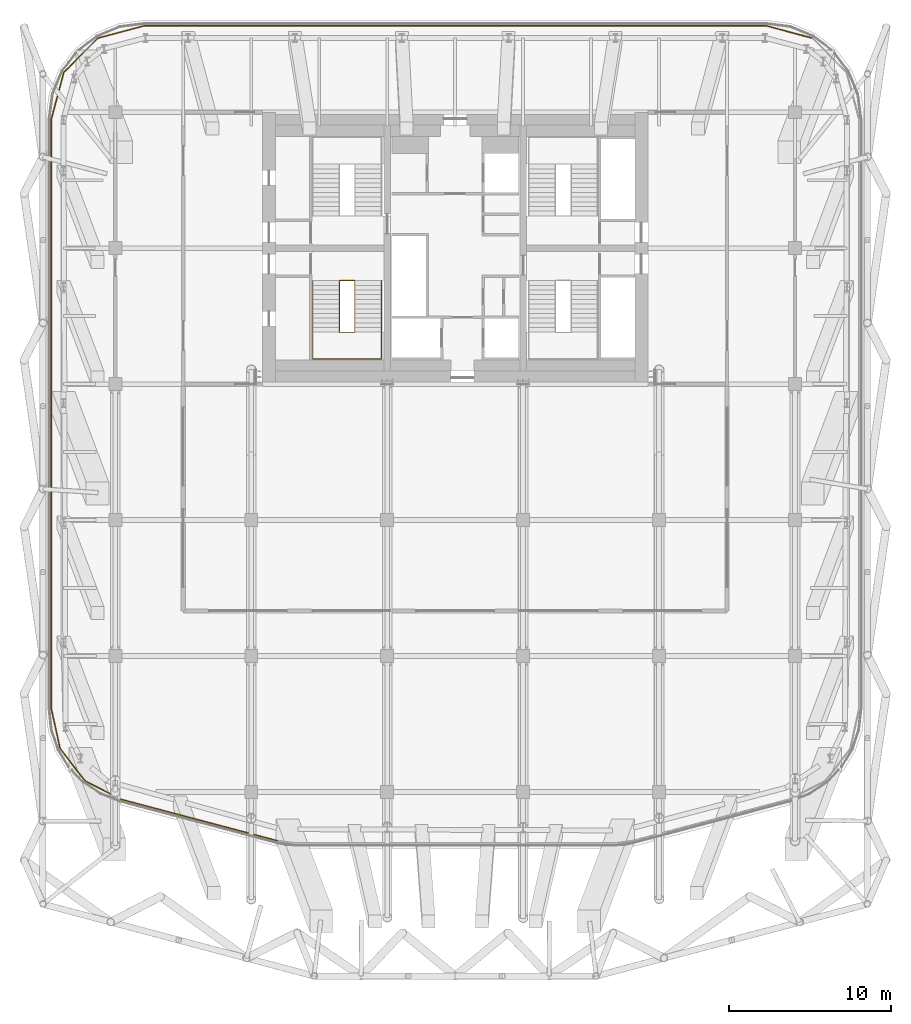
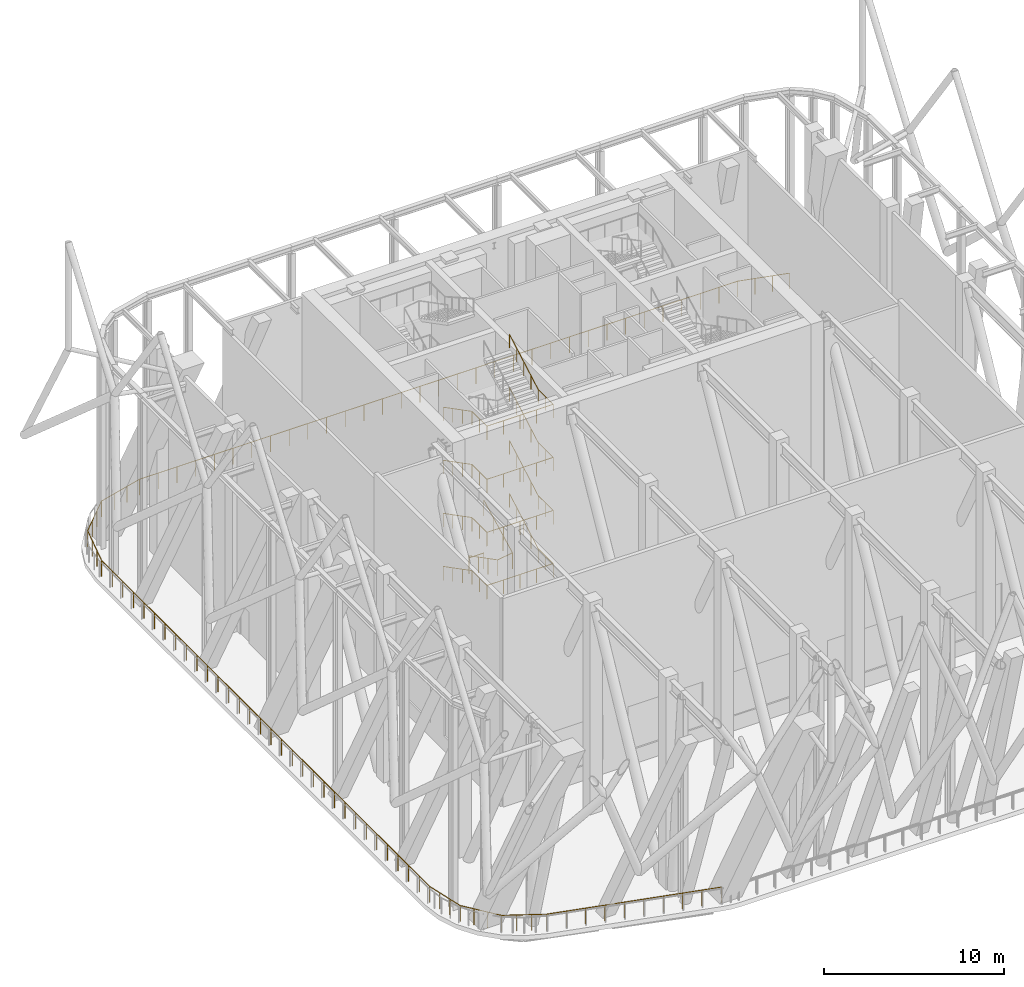
# One storey, part 16 of 20: 6 railings.
"""IFC4 building model written with IfcOpenShell, lengths in metres."""

from ifc_helpers import new_model, si_unit, direction, frame, origin, origin_2d, place, context, subcontext, project, spatial, circle, extrude, material, type_object, element, save


model = new_model("IFC4")

# Units and contexts
model_context = context("Model", 3, precision=1e-05, world=origin(), true_north=direction((0.0, 1.0)))
body_context = subcontext(model_context, "Body", "Model", "MODEL_VIEW")
ifc_project = project(units=[si_unit("LENGTHUNIT", "METRE"), si_unit("AREAUNIT", "SQUARE_METRE"), si_unit("VOLUMEUNIT", "CUBIC_METRE"), si_unit("PLANEANGLEUNIT", "RADIAN"), si_unit("MASSUNIT", "GRAM", prefix="KILO")], contexts=[model_context])

# Site, building, storey
site_placement = place(None, origin())
site = spatial("IfcSite", under=ifc_project, at=site_placement, CompositionType="ELEMENT")
building_placement = place(site_placement, origin())
building = spatial("IfcBuilding", under=site, at=building_placement, Name="Marenta Gate Hotel Tower", CompositionType="ELEMENT")
storey_placement = place(building_placement, frame((0.0, 0.0, 252.5)))
storey = spatial("IfcBuildingStorey", under=building, at=storey_placement, Name="L60", CompositionType="ELEMENT", Elevation=252.5)

# Railings
ifc_material_1 = material(Name="Stainless steel", Category="steel")
railing_type_1 = type_object("IfcRailingType", Name="Core stair handrail 950", PredefinedType="HANDRAIL", material=ifc_material_1)
railing_1_placement = place(storey_placement, frame((-8.800048828125, 6.39990234375, 0.14990234375)))
element("IfcRailing", 1, at=railing_1_placement, inside=storey, type_object=railing_type_1, Name="HR-950 L60-KR-ST1-1", PredefinedType="HANDRAIL", context=body_context, shape_type="SweptSolid", body=[
    extrude(circle(Radius=0.02392578125, at=origin_2d()), frame((0.0, 0.0, 0.92578125), z_axis=(0.0, -0.888197555067, 0.459461753765), x_axis=(1.0, 0.0, 0.0)), (0.0, 0.0, 1.0), 3.591552734375),
    extrude(circle(Radius=0.02392578125, at=origin_2d()), frame((0.0, -3.18994140625, 2.576171875), z_axis=(0.0, -1.0, 0.0), x_axis=(1.0, 0.0, 0.0)), (0.0, 0.0, 1.0), 1.659912109375),
    extrude(circle(Radius=0.02392578125, at=origin_2d()), frame((0.0, -4.849853515625, 2.576171875), z_axis=(1.0, 0.0, 0.0), x_axis=(0.0, 1.0, 0.0)), (0.0, 0.0, 1.0), 4.25),
    extrude(circle(Radius=0.02392578125, at=origin_2d()), frame((4.25, -4.849853515625, 2.576171875), z_axis=(0.0, 1.0, 0.0), x_axis=(-1.0, 0.0, 0.0)), (0.0, 0.0, 1.0), 1.659912109375),
    extrude(circle(Radius=0.02392578125, at=origin_2d()), frame((4.25, -3.18994140625, 2.576171875), z_axis=(0.0, 0.87090897868, 0.491444351738), x_axis=(-1.0, 0.0, 0.0)), (0.0, 0.0, 1.0), 3.662841796875),
    extrude(circle(Radius=0.02099609375, at=origin_2d()), origin(), (0.0, 0.0, 1.0), 0.90185546875),
    extrude(circle(Radius=0.02099609375, at=origin_2d()), frame((0.0, -1.063232421875, 0.550048828125)), (0.0, 0.0, 1.0), 0.90185546875),
    extrude(circle(Radius=0.02099609375, at=origin_2d()), frame((0.0, -2.126708984375, 1.10009765625)), (0.0, 0.0, 1.0), 0.90185546875),
    extrude(circle(Radius=0.02099609375, at=origin_2d()), frame((0.0, -3.18994140625, 1.650146484375)), (0.0, 0.0, 1.0), 0.90185546875),
    extrude(circle(Radius=0.02099609375, at=origin_2d()), frame((0.0, -4.02001953125, 1.650146484375)), (0.0, 0.0, 1.0), 0.90185546875),
    extrude(circle(Radius=0.02099609375, at=origin_2d()), frame((0.0, -4.849853515625, 1.650146484375)), (0.0, 0.0, 1.0), 0.90185546875),
    extrude(circle(Radius=0.02099609375, at=origin_2d()), frame((1.0625, -4.849853515625, 1.650146484375)), (0.0, 0.0, 1.0), 0.90185546875),
    extrude(circle(Radius=0.02099609375, at=origin_2d()), frame((2.125, -4.849853515625, 1.650146484375)), (0.0, 0.0, 1.0), 0.90185546875),
    extrude(circle(Radius=0.02099609375, at=origin_2d()), frame((3.1875, -4.849853515625, 1.650146484375)), (0.0, 0.0, 1.0), 0.90185546875),
    extrude(circle(Radius=0.02099609375, at=origin_2d()), frame((4.25, -4.849853515625, 1.650146484375)), (0.0, 0.0, 1.0), 0.90185546875),
    extrude(circle(Radius=0.02099609375, at=origin_2d()), frame((4.25, -4.02001953125, 1.650146484375)), (0.0, 0.0, 1.0), 0.90185546875),
    extrude(circle(Radius=0.02099609375, at=origin_2d()), frame((4.25, -3.18994140625, 1.650146484375)), (0.0, 0.0, 1.0), 0.90185546875),
    extrude(circle(Radius=0.02099609375, at=origin_2d()), frame((4.25, -2.392578125, 2.10009765625)), (0.0, 0.0, 1.0), 0.90185546875),
    extrude(circle(Radius=0.02099609375, at=origin_2d()), frame((4.25, -1.594970703125, 2.55029296875)), (0.0, 0.0, 1.0), 0.90185546875),
    extrude(circle(Radius=0.02099609375, at=origin_2d()), frame((4.25, -0.79736328125, 3.000244140625)), (0.0, 0.0, 1.0), 0.90185546875),
    extrude(circle(Radius=0.02099609375, at=origin_2d()), frame((4.25, 0.0, 3.4501953125)), (0.0, 0.0, 1.0), 0.90185546875),
])
railing_2_placement = place(storey_placement, frame((-8.800048828125, 6.39990234375, 3.75)))
element("IfcRailing", 2, at=railing_2_placement, inside=storey, type_object=railing_type_1, Name="HR-950 L60-KR-ST1-3", PredefinedType="HANDRAIL", context=body_context, shape_type="SweptSolid", body=[
    extrude(circle(Radius=0.02392578125, at=origin_2d()), frame((0.0, 0.0, 0.92578125), z_axis=(0.0, -0.888225295554, 0.459408123936), x_axis=(1.0, 0.0, 0.0)), (0.0, 0.0, 1.0), 3.59130859375),
    extrude(circle(Radius=0.02392578125, at=origin_2d()), frame((0.0, -3.18994140625, 2.57568359375), z_axis=(0.0, -1.0, 0.0), x_axis=(1.0, 0.0, 0.0)), (0.0, 0.0, 1.0), 1.659912109375),
    extrude(circle(Radius=0.02392578125, at=origin_2d()), frame((0.0, -4.849853515625, 2.57568359375), z_axis=(1.0, 0.0, 0.0), x_axis=(0.0, 1.0, 0.0)), (0.0, 0.0, 1.0), 4.25),
    extrude(circle(Radius=0.02392578125, at=origin_2d()), frame((4.25, -4.849853515625, 2.57568359375), z_axis=(0.0, 1.0, 0.0), x_axis=(-1.0, 0.0, 0.0)), (0.0, 0.0, 1.0), 1.659912109375),
    extrude(circle(Radius=0.02392578125, at=origin_2d()), frame((4.25, -3.18994140625, 2.57568359375), z_axis=(0.0, 0.87090897868, 0.491444351738), x_axis=(-1.0, 0.0, 0.0)), (0.0, 0.0, 1.0), 3.662841796875),
    extrude(circle(Radius=0.02099609375, at=origin_2d()), origin(), (0.0, 0.0, 1.0), 0.90185546875),
    extrude(circle(Radius=0.02099609375, at=origin_2d()), frame((0.0, -1.063232421875, 0.550048828125)), (0.0, 0.0, 1.0), 0.90185546875),
    extrude(circle(Radius=0.02099609375, at=origin_2d()), frame((0.0, -2.126708984375, 1.099853515625)), (0.0, 0.0, 1.0), 0.90185546875),
    extrude(circle(Radius=0.02099609375, at=origin_2d()), frame((0.0, -3.18994140625, 1.64990234375)), (0.0, 0.0, 1.0), 0.90185546875),
    extrude(circle(Radius=0.02099609375, at=origin_2d()), frame((0.0, -4.02001953125, 1.64990234375)), (0.0, 0.0, 1.0), 0.90185546875),
    extrude(circle(Radius=0.02099609375, at=origin_2d()), frame((0.0, -4.849853515625, 1.64990234375)), (0.0, 0.0, 1.0), 0.90185546875),
    extrude(circle(Radius=0.02099609375, at=origin_2d()), frame((1.0625, -4.849853515625, 1.64990234375)), (0.0, 0.0, 1.0), 0.90185546875),
    extrude(circle(Radius=0.02099609375, at=origin_2d()), frame((2.125, -4.849853515625, 1.64990234375)), (0.0, 0.0, 1.0), 0.90185546875),
    extrude(circle(Radius=0.02099609375, at=origin_2d()), frame((3.1875, -4.849853515625, 1.64990234375)), (0.0, 0.0, 1.0), 0.90185546875),
    extrude(circle(Radius=0.02099609375, at=origin_2d()), frame((4.25, -4.849853515625, 1.64990234375)), (0.0, 0.0, 1.0), 0.90185546875),
    extrude(circle(Radius=0.02099609375, at=origin_2d()), frame((4.25, -4.02001953125, 1.64990234375)), (0.0, 0.0, 1.0), 0.90185546875),
    extrude(circle(Radius=0.02099609375, at=origin_2d()), frame((4.25, -3.18994140625, 1.64990234375)), (0.0, 0.0, 1.0), 0.90185546875),
    extrude(circle(Radius=0.02099609375, at=origin_2d()), frame((4.25, -2.392578125, 2.099853515625)), (0.0, 0.0, 1.0), 0.90185546875),
    extrude(circle(Radius=0.02099609375, at=origin_2d()), frame((4.25, -1.594970703125, 2.5498046875)), (0.0, 0.0, 1.0), 0.90185546875),
    extrude(circle(Radius=0.02099609375, at=origin_2d()), frame((4.25, -0.79736328125, 3.0)), (0.0, 0.0, 1.0), 0.90185546875),
    extrude(circle(Radius=0.02099609375, at=origin_2d()), frame((4.25, 0.0, 3.449951171875)), (0.0, 0.0, 1.0), 0.90185546875),
])
railing_3_placement = place(storey_placement, frame((-8.800048828125, 6.39990234375, 7.35009765625)))
element("IfcRailing", 3, at=railing_3_placement, inside=storey, type_object=railing_type_1, Name="HR-950 L60-KR-ST1-5", PredefinedType="HANDRAIL", context=body_context, shape_type="SweptSolid", body=[
    extrude(circle(Radius=0.02392578125, at=origin_2d()), frame((0.0, 0.0, 0.92578125), z_axis=(0.0, -0.888225295554, 0.459408123936), x_axis=(1.0, 0.0, 0.0)), (0.0, 0.0, 1.0), 3.59130859375),
    extrude(circle(Radius=0.02392578125, at=origin_2d()), frame((0.0, -3.18994140625, 2.57568359375), z_axis=(0.0, -1.0, 0.0), x_axis=(1.0, 0.0, 0.0)), (0.0, 0.0, 1.0), 1.659912109375),
    extrude(circle(Radius=0.02392578125, at=origin_2d()), frame((0.0, -4.849853515625, 2.57568359375), z_axis=(1.0, 0.0, 0.0), x_axis=(0.0, 1.0, 0.0)), (0.0, 0.0, 1.0), 4.25),
    extrude(circle(Radius=0.02392578125, at=origin_2d()), frame((4.25, -4.849853515625, 2.57568359375), z_axis=(0.0, 1.0, 0.0), x_axis=(-1.0, 0.0, 0.0)), (0.0, 0.0, 1.0), 1.659912109375),
    extrude(circle(Radius=0.02392578125, at=origin_2d()), frame((4.25, -3.18994140625, 2.57568359375), z_axis=(0.0, 0.87090897868, 0.491444351738), x_axis=(-1.0, 0.0, 0.0)), (0.0, 0.0, 1.0), 3.662841796875),
    extrude(circle(Radius=0.02099609375, at=origin_2d()), origin(), (0.0, 0.0, 1.0), 0.90185546875),
    extrude(circle(Radius=0.02099609375, at=origin_2d()), frame((0.0, -1.063232421875, 0.550048828125)), (0.0, 0.0, 1.0), 0.90185546875),
    extrude(circle(Radius=0.02099609375, at=origin_2d()), frame((0.0, -2.126708984375, 1.099853515625)), (0.0, 0.0, 1.0), 0.90185546875),
    extrude(circle(Radius=0.02099609375, at=origin_2d()), frame((0.0, -3.18994140625, 1.64990234375)), (0.0, 0.0, 1.0), 0.90185546875),
    extrude(circle(Radius=0.02099609375, at=origin_2d()), frame((0.0, -4.02001953125, 1.64990234375)), (0.0, 0.0, 1.0), 0.90185546875),
    extrude(circle(Radius=0.02099609375, at=origin_2d()), frame((0.0, -4.849853515625, 1.64990234375)), (0.0, 0.0, 1.0), 0.90185546875),
    extrude(circle(Radius=0.02099609375, at=origin_2d()), frame((1.0625, -4.849853515625, 1.64990234375)), (0.0, 0.0, 1.0), 0.90185546875),
    extrude(circle(Radius=0.02099609375, at=origin_2d()), frame((2.125, -4.849853515625, 1.64990234375)), (0.0, 0.0, 1.0), 0.90185546875),
    extrude(circle(Radius=0.02099609375, at=origin_2d()), frame((3.1875, -4.849853515625, 1.64990234375)), (0.0, 0.0, 1.0), 0.90185546875),
    extrude(circle(Radius=0.02099609375, at=origin_2d()), frame((4.25, -4.849853515625, 1.64990234375)), (0.0, 0.0, 1.0), 0.90185546875),
    extrude(circle(Radius=0.02099609375, at=origin_2d()), frame((4.25, -4.02001953125, 1.64990234375)), (0.0, 0.0, 1.0), 0.90185546875),
    extrude(circle(Radius=0.02099609375, at=origin_2d()), frame((4.25, -3.18994140625, 1.64990234375)), (0.0, 0.0, 1.0), 0.90185546875),
    extrude(circle(Radius=0.02099609375, at=origin_2d()), frame((4.25, -2.392578125, 2.099853515625)), (0.0, 0.0, 1.0), 0.90185546875),
    extrude(circle(Radius=0.02099609375, at=origin_2d()), frame((4.25, -1.594970703125, 2.5498046875)), (0.0, 0.0, 1.0), 0.90185546875),
    extrude(circle(Radius=0.02099609375, at=origin_2d()), frame((4.25, -0.79736328125, 3.0)), (0.0, 0.0, 1.0), 0.90185546875),
    extrude(circle(Radius=0.02099609375, at=origin_2d()), frame((4.25, 0.0, 3.449951171875)), (0.0, 0.0, 1.0), 0.90185546875),
])
railing_4_placement = place(storey_placement, frame((-8.800048828125, 6.39990234375, 10.949951171875)))
element("IfcRailing", 4, at=railing_4_placement, inside=storey, type_object=railing_type_1, Name="HR-950 L60-KR-ST1-7", PredefinedType="HANDRAIL", context=body_context, shape_type="SweptSolid", body=[
    extrude(circle(Radius=0.02392578125, at=origin_2d()), frame((0.0, 0.0, 0.92578125), z_axis=(0.0, -0.888197555067, 0.459461753765), x_axis=(1.0, 0.0, 0.0)), (0.0, 0.0, 1.0), 3.591552734375),
    extrude(circle(Radius=0.02392578125, at=origin_2d()), frame((0.0, -3.18994140625, 2.576171875), z_axis=(0.0, -1.0, 0.0), x_axis=(1.0, 0.0, 0.0)), (0.0, 0.0, 1.0), 1.659912109375),
    extrude(circle(Radius=0.02392578125, at=origin_2d()), frame((0.0, -4.849853515625, 2.576171875), z_axis=(1.0, 0.0, 0.0), x_axis=(0.0, 1.0, 0.0)), (0.0, 0.0, 1.0), 4.25),
    extrude(circle(Radius=0.02392578125, at=origin_2d()), frame((4.25, -4.849853515625, 2.576171875), z_axis=(0.0, 1.0, 0.0), x_axis=(-1.0, 0.0, 0.0)), (0.0, 0.0, 1.0), 1.659912109375),
    extrude(circle(Radius=0.02392578125, at=origin_2d()), frame((4.25, -3.18994140625, 2.576171875), z_axis=(0.0, 0.870937506535, 0.491393792911), x_axis=(-1.0, 0.0, 0.0)), (0.0, 0.0, 1.0), 3.66259765625),
    extrude(circle(Radius=0.02099609375, at=origin_2d()), origin(), (0.0, 0.0, 1.0), 0.90185546875),
    extrude(circle(Radius=0.02099609375, at=origin_2d()), frame((0.0, -1.063232421875, 0.550048828125)), (0.0, 0.0, 1.0), 0.90185546875),
    extrude(circle(Radius=0.02099609375, at=origin_2d()), frame((0.0, -2.126708984375, 1.10009765625)), (0.0, 0.0, 1.0), 0.90185546875),
    extrude(circle(Radius=0.02099609375, at=origin_2d()), frame((0.0, -3.18994140625, 1.650146484375)), (0.0, 0.0, 1.0), 0.90185546875),
    extrude(circle(Radius=0.02099609375, at=origin_2d()), frame((0.0, -4.02001953125, 1.650146484375)), (0.0, 0.0, 1.0), 0.90185546875),
    extrude(circle(Radius=0.02099609375, at=origin_2d()), frame((0.0, -4.849853515625, 1.650146484375)), (0.0, 0.0, 1.0), 0.90185546875),
    extrude(circle(Radius=0.02099609375, at=origin_2d()), frame((1.0625, -4.849853515625, 1.650146484375)), (0.0, 0.0, 1.0), 0.90185546875),
    extrude(circle(Radius=0.02099609375, at=origin_2d()), frame((2.125, -4.849853515625, 1.650146484375)), (0.0, 0.0, 1.0), 0.90185546875),
    extrude(circle(Radius=0.02099609375, at=origin_2d()), frame((3.1875, -4.849853515625, 1.650146484375)), (0.0, 0.0, 1.0), 0.90185546875),
    extrude(circle(Radius=0.02099609375, at=origin_2d()), frame((4.25, -4.849853515625, 1.650146484375)), (0.0, 0.0, 1.0), 0.90185546875),
    extrude(circle(Radius=0.02099609375, at=origin_2d()), frame((4.25, -4.02001953125, 1.650146484375)), (0.0, 0.0, 1.0), 0.90185546875),
    extrude(circle(Radius=0.02099609375, at=origin_2d()), frame((4.25, -3.18994140625, 1.650146484375)), (0.0, 0.0, 1.0), 0.90185546875),
    extrude(circle(Radius=0.02099609375, at=origin_2d()), frame((4.25, -2.392578125, 2.10009765625)), (0.0, 0.0, 1.0), 0.90185546875),
    extrude(circle(Radius=0.02099609375, at=origin_2d()), frame((4.25, -1.594970703125, 2.550048828125)), (0.0, 0.0, 1.0), 0.90185546875),
    extrude(circle(Radius=0.02099609375, at=origin_2d()), frame((4.25, -0.79736328125, 3.0)), (0.0, 0.0, 1.0), 0.90185546875),
    extrude(circle(Radius=0.02099609375, at=origin_2d()), frame((4.25, 0.0, 3.449951171875)), (0.0, 0.0, 1.0), 0.90185546875),
])
ifc_material_2 = material(Name="Stainless steel", Category="steel")
railing_type_2 = type_object("IfcRailingType", Name="Core stair well guard 1100", PredefinedType="GUARDRAIL", material=ifc_material_2)
railing_5_placement = place(storey_placement, frame((-6.199951171875, 6.39990234375, 0.0)))
element("IfcRailing", 5, at=railing_5_placement, inside=storey, type_object=railing_type_2, Name="GR-1100 L60-KR-ST1-2", PredefinedType="GUARDRAIL", context=body_context, shape_type="SweptSolid", body=[
    extrude(circle(Radius=0.02392578125, at=origin_2d()), frame((0.0, 0.0, 1.076171875), z_axis=(-1.0, 0.0, 0.0), x_axis=(0.0, -1.0, 0.0)), (0.0, 0.0, 1.0), 0.949951171875),
    extrude(circle(Radius=0.02392578125, at=origin_2d()), frame((-0.949951171875, 0.0, 1.076171875), z_axis=(0.0, 0.0, 1.0), x_axis=(1.0, 0.0, 0.0)), (0.0, 0.0, 1.0), 0.14990234375),
    extrude(circle(Radius=0.02392578125, at=origin_2d()), frame((-0.949951171875, 0.0, 1.22607421875), z_axis=(0.0, -0.888197555067, 0.459461753765), x_axis=(1.0, 0.0, 0.0)), (0.0, 0.0, 1.0), 3.591552734375),
    extrude(circle(Radius=0.02392578125, at=origin_2d()), frame((-0.949951171875, -3.18994140625, 2.8759765625), z_axis=(0.987777369502, 0.0, 0.15587131968), x_axis=(0.0, 1.0, 0.0)), (0.0, 0.0, 1.0), 0.961669921875),
    extrude(circle(Radius=0.02392578125, at=origin_2d()), frame((0.0, -3.18994140625, 3.02587890625), z_axis=(0.0, 0.888197555067, 0.459461753765), x_axis=(-1.0, 0.0, 0.0)), (0.0, 0.0, 1.0), 3.591552734375),
    extrude(circle(Radius=0.02099609375, at=origin_2d()), origin(), (0.0, 0.0, 1.0), 1.052001953125),
    extrude(circle(Radius=0.02099609375, at=origin_2d()), frame((-0.949951171875, 0.0, 0.0)), (0.0, 0.0, 1.0), 1.052001953125),
    extrude(circle(Radius=0.02099609375, at=origin_2d()), frame((-0.949951171875, 0.0, 0.14990234375)), (0.0, 0.0, 1.0), 1.052001953125),
    extrude(circle(Radius=0.02099609375, at=origin_2d()), frame((-0.949951171875, -1.063232421875, 0.699951171875)), (0.0, 0.0, 1.0), 1.052001953125),
    extrude(circle(Radius=0.02099609375, at=origin_2d()), frame((-0.949951171875, -2.126708984375, 1.25)), (0.0, 0.0, 1.0), 1.052001953125),
    extrude(circle(Radius=0.02099609375, at=origin_2d()), frame((-0.949951171875, -3.18994140625, 1.800048828125)), (0.0, 0.0, 1.0), 1.052001953125),
    extrude(circle(Radius=0.02099609375, at=origin_2d()), frame((0.0, -3.18994140625, 1.949951171875)), (0.0, 0.0, 1.0), 1.052001953125),
    extrude(circle(Radius=0.02099609375, at=origin_2d()), frame((0.0, -2.126708984375, 2.5)), (0.0, 0.0, 1.0), 1.052001953125),
    extrude(circle(Radius=0.02099609375, at=origin_2d()), frame((0.0, -1.063232421875, 3.050048828125)), (0.0, 0.0, 1.0), 1.052001953125),
    extrude(circle(Radius=0.02099609375, at=origin_2d()), frame((0.0, 0.0, 3.60009765625)), (0.0, 0.0, 1.0), 1.052001953125),
])
ifc_material_3 = material(Name="Stainless steel", Category="steel")
railing_type_3 = type_object("IfcRailingType", Name="Guard 1100 stainless balustrade", PredefinedType="GUARDRAIL", material=ifc_material_3)
railing_6_placement = place(storey_placement, frame((22.073974609375, 21.377685546875, 0.0)))
element("IfcRailing", 6, at=railing_6_placement, inside=storey, type_object=railing_type_3, Name="Guard", PredefinedType="GUARDRAIL", context=body_context, shape_type="SweptSolid", body=[
    extrude(circle(Radius=0.02392578125, at=origin_2d()), frame((0.0, 0.0, 1.076171875), z_axis=(-0.966114289627, 0.258114663239, 0.0), x_axis=(-0.258114663239, -0.966114289627, 0.0)), (0.0, 0.0, 1.0), 2.99169921875),
    extrude(circle(Radius=0.02392578125, at=origin_2d()), frame((-2.890380859375, 0.772216796875, 1.076171875), z_axis=(-1.0, 0.0, 0.0), x_axis=(0.0, -1.0, 0.0)), (0.0, 0.0, 1.0), 38.3671875),
    extrude(circle(Radius=0.02392578125, at=origin_2d()), frame((-41.257568359375, 0.772216796875, 1.076171875), z_axis=(-0.966114289627, -0.258114663239, 0.0), x_axis=(0.258114663239, -0.966114289627, 0.0)), (0.0, 0.0, 1.0), 2.99169921875),
    extrude(circle(Radius=0.02392578125, at=origin_2d()), frame((-44.14794921875, 0.0, 1.076171875), z_axis=(-0.707106781187, -0.707106781187, 0.0), x_axis=(0.707106781187, -0.707106781187, 0.0)), (0.0, 0.0, 1.0), 2.97509765625),
    extrude(circle(Radius=0.02392578125, at=origin_2d()), frame((-46.251708984375, -2.103759765625, 1.076171875), z_axis=(-0.258114663239, -0.966114289627, 0.0), x_axis=(0.966114289627, -0.258114663239, 0.0)), (0.0, 0.0, 1.0), 2.99169921875),
    extrude(circle(Radius=0.02392578125, at=origin_2d()), frame((-47.02392578125, -4.994140625, 1.076171875), z_axis=(0.0, -1.0, 0.0), x_axis=(1.0, 0.0, 0.0)), (0.0, 0.0, 1.0), 36.4541015625),
    extrude(circle(Radius=0.02392578125, at=origin_2d()), frame((-47.02392578125, -41.4482421875, 1.076171875), z_axis=(0.216229118215, -0.976342649092, 0.0), x_axis=(0.976342649092, 0.216229118215, 0.0)), (0.0, 0.0, 1.0), 2.506591796875),
    extrude(circle(Radius=0.02392578125, at=origin_2d()), frame((-46.48193359375, -43.8955078125, 1.076171875), z_axis=(0.609701295622, -0.792631269959, 0.0), x_axis=(0.792631269959, 0.609701295622, 0.0)), (0.0, 0.0, 1.0), 2.4931640625),
    extrude(circle(Radius=0.02392578125, at=origin_2d()), frame((-44.9619140625, -45.87158203125, 1.076171875), z_axis=(0.888227236115, -0.459404372012, 0.0), x_axis=(0.459404372012, 0.888227236115, 0.0)), (0.0, 0.0, 1.0), 2.5068359375),
    extrude(circle(Radius=0.02392578125, at=origin_2d()), frame((-42.7353515625, -47.023193359375, 1.076171875), z_axis=(0.966565981595, -0.256418024373, 0.0), x_axis=(0.256418024373, 0.966565981595, 0.0)), (0.0, 0.0, 1.0), 10.049560546875),
    extrude(circle(Radius=0.02099609375, at=origin_2d()), origin(), (0.0, 0.0, 1.0), 1.052001953125),
    extrude(circle(Radius=0.02099609375, at=origin_2d()), frame((-0.96337890625, 0.25732421875, 0.0)), (0.0, 0.0, 1.0), 1.052001953125),
    extrude(circle(Radius=0.02099609375, at=origin_2d()), frame((-1.927001953125, 0.514892578125, 0.0)), (0.0, 0.0, 1.0), 1.052001953125),
    extrude(circle(Radius=0.02099609375, at=origin_2d()), frame((-2.890380859375, 0.772216796875, 0.0)), (0.0, 0.0, 1.0), 1.052001953125),
    extrude(circle(Radius=0.02099609375, at=origin_2d()), frame((-4.08935546875, 0.772216796875, 0.0)), (0.0, 0.0, 1.0), 1.052001953125),
    extrude(circle(Radius=0.02099609375, at=origin_2d()), frame((-5.288330078125, 0.772216796875, 0.0)), (0.0, 0.0, 1.0), 1.052001953125),
    extrude(circle(Radius=0.02099609375, at=origin_2d()), frame((-6.4873046875, 0.772216796875, 0.0)), (0.0, 0.0, 1.0), 1.052001953125),
    extrude(circle(Radius=0.02099609375, at=origin_2d()), frame((-7.686279296875, 0.772216796875, 0.0)), (0.0, 0.0, 1.0), 1.052001953125),
    extrude(circle(Radius=0.02099609375, at=origin_2d()), frame((-8.88525390625, 0.772216796875, 0.0)), (0.0, 0.0, 1.0), 1.052001953125),
    extrude(circle(Radius=0.02099609375, at=origin_2d()), frame((-10.084228515625, 0.772216796875, 0.0)), (0.0, 0.0, 1.0), 1.052001953125),
    extrude(circle(Radius=0.02099609375, at=origin_2d()), frame((-11.283203125, 0.772216796875, 0.0)), (0.0, 0.0, 1.0), 1.052001953125),
    extrude(circle(Radius=0.02099609375, at=origin_2d()), frame((-12.482177734375, 0.772216796875, 0.0)), (0.0, 0.0, 1.0), 1.052001953125),
    extrude(circle(Radius=0.02099609375, at=origin_2d()), frame((-13.68115234375, 0.772216796875, 0.0)), (0.0, 0.0, 1.0), 1.052001953125),
    extrude(circle(Radius=0.02099609375, at=origin_2d()), frame((-14.880126953125, 0.772216796875, 0.0)), (0.0, 0.0, 1.0), 1.052001953125),
    extrude(circle(Radius=0.02099609375, at=origin_2d()), frame((-16.0791015625, 0.772216796875, 0.0)), (0.0, 0.0, 1.0), 1.052001953125),
    extrude(circle(Radius=0.02099609375, at=origin_2d()), frame((-17.278076171875, 0.772216796875, 0.0)), (0.0, 0.0, 1.0), 1.052001953125),
    extrude(circle(Radius=0.02099609375, at=origin_2d()), frame((-18.47705078125, 0.772216796875, 0.0)), (0.0, 0.0, 1.0), 1.052001953125),
    extrude(circle(Radius=0.02099609375, at=origin_2d()), frame((-19.676025390625, 0.772216796875, 0.0)), (0.0, 0.0, 1.0), 1.052001953125),
    extrude(circle(Radius=0.02099609375, at=origin_2d()), frame((-20.875, 0.772216796875, 0.0)), (0.0, 0.0, 1.0), 1.052001953125),
    extrude(circle(Radius=0.02099609375, at=origin_2d()), frame((-22.073974609375, 0.772216796875, 0.0)), (0.0, 0.0, 1.0), 1.052001953125),
    extrude(circle(Radius=0.02099609375, at=origin_2d()), frame((-23.27294921875, 0.772216796875, 0.0)), (0.0, 0.0, 1.0), 1.052001953125),
    extrude(circle(Radius=0.02099609375, at=origin_2d()), frame((-24.471923828125, 0.772216796875, 0.0)), (0.0, 0.0, 1.0), 1.052001953125),
    extrude(circle(Radius=0.02099609375, at=origin_2d()), frame((-25.6708984375, 0.772216796875, 0.0)), (0.0, 0.0, 1.0), 1.052001953125),
    extrude(circle(Radius=0.02099609375, at=origin_2d()), frame((-26.869873046875, 0.772216796875, 0.0)), (0.0, 0.0, 1.0), 1.052001953125),
    extrude(circle(Radius=0.02099609375, at=origin_2d()), frame((-28.06884765625, 0.772216796875, 0.0)), (0.0, 0.0, 1.0), 1.052001953125),
    extrude(circle(Radius=0.02099609375, at=origin_2d()), frame((-29.267822265625, 0.772216796875, 0.0)), (0.0, 0.0, 1.0), 1.052001953125),
    extrude(circle(Radius=0.02099609375, at=origin_2d()), frame((-30.466796875, 0.772216796875, 0.0)), (0.0, 0.0, 1.0), 1.052001953125),
    extrude(circle(Radius=0.02099609375, at=origin_2d()), frame((-31.665771484375, 0.772216796875, 0.0)), (0.0, 0.0, 1.0), 1.052001953125),
    extrude(circle(Radius=0.02099609375, at=origin_2d()), frame((-32.86474609375, 0.772216796875, 0.0)), (0.0, 0.0, 1.0), 1.052001953125),
    extrude(circle(Radius=0.02099609375, at=origin_2d()), frame((-34.063720703125, 0.772216796875, 0.0)), (0.0, 0.0, 1.0), 1.052001953125),
    extrude(circle(Radius=0.02099609375, at=origin_2d()), frame((-35.2626953125, 0.772216796875, 0.0)), (0.0, 0.0, 1.0), 1.052001953125),
    extrude(circle(Radius=0.02099609375, at=origin_2d()), frame((-36.461669921875, 0.772216796875, 0.0)), (0.0, 0.0, 1.0), 1.052001953125),
    extrude(circle(Radius=0.02099609375, at=origin_2d()), frame((-37.66064453125, 0.772216796875, 0.0)), (0.0, 0.0, 1.0), 1.052001953125),
    extrude(circle(Radius=0.02099609375, at=origin_2d()), frame((-38.859619140625, 0.772216796875, 0.0)), (0.0, 0.0, 1.0), 1.052001953125),
    extrude(circle(Radius=0.02099609375, at=origin_2d()), frame((-40.05859375, 0.772216796875, 0.0)), (0.0, 0.0, 1.0), 1.052001953125),
    extrude(circle(Radius=0.02099609375, at=origin_2d()), frame((-41.257568359375, 0.772216796875, 0.0)), (0.0, 0.0, 1.0), 1.052001953125),
    extrude(circle(Radius=0.02099609375, at=origin_2d()), frame((-42.220947265625, 0.514892578125, 0.0)), (0.0, 0.0, 1.0), 1.052001953125),
    extrude(circle(Radius=0.02099609375, at=origin_2d()), frame((-43.1845703125, 0.25732421875, 0.0)), (0.0, 0.0, 1.0), 1.052001953125),
    extrude(circle(Radius=0.02099609375, at=origin_2d()), frame((-44.14794921875, 0.0, 0.0)), (0.0, 0.0, 1.0), 1.052001953125),
    extrude(circle(Radius=0.02099609375, at=origin_2d()), frame((-44.84912109375, -0.701171875, 0.0)), (0.0, 0.0, 1.0), 1.052001953125),
    extrude(circle(Radius=0.02099609375, at=origin_2d()), frame((-45.550537109375, -1.402587890625, 0.0)), (0.0, 0.0, 1.0), 1.052001953125),
    extrude(circle(Radius=0.02099609375, at=origin_2d()), frame((-46.251708984375, -2.103759765625, 0.0)), (0.0, 0.0, 1.0), 1.052001953125),
    extrude(circle(Radius=0.02099609375, at=origin_2d()), frame((-46.509033203125, -3.067138671875, 0.0)), (0.0, 0.0, 1.0), 1.052001953125),
    extrude(circle(Radius=0.02099609375, at=origin_2d()), frame((-46.7666015625, -4.03076171875, 0.0)), (0.0, 0.0, 1.0), 1.052001953125),
    extrude(circle(Radius=0.02099609375, at=origin_2d()), frame((-47.02392578125, -4.994140625, 0.0)), (0.0, 0.0, 1.0), 1.052001953125),
    extrude(circle(Radius=0.02099609375, at=origin_2d()), frame((-47.02392578125, -6.170166015625, 0.0)), (0.0, 0.0, 1.0), 1.052001953125),
    extrude(circle(Radius=0.02099609375, at=origin_2d()), frame((-47.02392578125, -7.345947265625, 0.0)), (0.0, 0.0, 1.0), 1.052001953125),
    extrude(circle(Radius=0.02099609375, at=origin_2d()), frame((-47.02392578125, -8.52197265625, 0.0)), (0.0, 0.0, 1.0), 1.052001953125),
    extrude(circle(Radius=0.02099609375, at=origin_2d()), frame((-47.02392578125, -9.697998046875, 0.0)), (0.0, 0.0, 1.0), 1.052001953125),
    extrude(circle(Radius=0.02099609375, at=origin_2d()), frame((-47.02392578125, -10.873779296875, 0.0)), (0.0, 0.0, 1.0), 1.052001953125),
    extrude(circle(Radius=0.02099609375, at=origin_2d()), frame((-47.02392578125, -12.0498046875, 0.0)), (0.0, 0.0, 1.0), 1.052001953125),
    extrude(circle(Radius=0.02099609375, at=origin_2d()), frame((-47.02392578125, -13.225830078125, 0.0)), (0.0, 0.0, 1.0), 1.052001953125),
    extrude(circle(Radius=0.02099609375, at=origin_2d()), frame((-47.02392578125, -14.401611328125, 0.0)), (0.0, 0.0, 1.0), 1.052001953125),
    extrude(circle(Radius=0.02099609375, at=origin_2d()), frame((-47.02392578125, -15.57763671875, 0.0)), (0.0, 0.0, 1.0), 1.052001953125),
    extrude(circle(Radius=0.02099609375, at=origin_2d()), frame((-47.02392578125, -16.75341796875, 0.0)), (0.0, 0.0, 1.0), 1.052001953125),
    extrude(circle(Radius=0.02099609375, at=origin_2d()), frame((-47.02392578125, -17.929443359375, 0.0)), (0.0, 0.0, 1.0), 1.052001953125),
    extrude(circle(Radius=0.02099609375, at=origin_2d()), frame((-47.02392578125, -19.10546875, 0.0)), (0.0, 0.0, 1.0), 1.052001953125),
    extrude(circle(Radius=0.02099609375, at=origin_2d()), frame((-47.02392578125, -20.28125, 0.0)), (0.0, 0.0, 1.0), 1.052001953125),
    extrude(circle(Radius=0.02099609375, at=origin_2d()), frame((-47.02392578125, -21.457275390625, 0.0)), (0.0, 0.0, 1.0), 1.052001953125),
    extrude(circle(Radius=0.02099609375, at=origin_2d()), frame((-47.02392578125, -22.63330078125, 0.0)), (0.0, 0.0, 1.0), 1.052001953125),
    extrude(circle(Radius=0.02099609375, at=origin_2d()), frame((-47.02392578125, -23.80908203125, 0.0)), (0.0, 0.0, 1.0), 1.052001953125),
    extrude(circle(Radius=0.02099609375, at=origin_2d()), frame((-47.02392578125, -24.985107421875, 0.0)), (0.0, 0.0, 1.0), 1.052001953125),
    extrude(circle(Radius=0.02099609375, at=origin_2d()), frame((-47.02392578125, -26.1611328125, 0.0)), (0.0, 0.0, 1.0), 1.052001953125),
    extrude(circle(Radius=0.02099609375, at=origin_2d()), frame((-47.02392578125, -27.3369140625, 0.0)), (0.0, 0.0, 1.0), 1.052001953125),
    extrude(circle(Radius=0.02099609375, at=origin_2d()), frame((-47.02392578125, -28.512939453125, 0.0)), (0.0, 0.0, 1.0), 1.052001953125),
    extrude(circle(Radius=0.02099609375, at=origin_2d()), frame((-47.02392578125, -29.68896484375, 0.0)), (0.0, 0.0, 1.0), 1.052001953125),
    extrude(circle(Radius=0.02099609375, at=origin_2d()), frame((-47.02392578125, -30.86474609375, 0.0)), (0.0, 0.0, 1.0), 1.052001953125),
    extrude(circle(Radius=0.02099609375, at=origin_2d()), frame((-47.02392578125, -32.040771484375, 0.0)), (0.0, 0.0, 1.0), 1.052001953125),
    extrude(circle(Radius=0.02099609375, at=origin_2d()), frame((-47.02392578125, -33.216552734375, 0.0)), (0.0, 0.0, 1.0), 1.052001953125),
    extrude(circle(Radius=0.02099609375, at=origin_2d()), frame((-47.02392578125, -34.392578125, 0.0)), (0.0, 0.0, 1.0), 1.052001953125),
    extrude(circle(Radius=0.02099609375, at=origin_2d()), frame((-47.02392578125, -35.568603515625, 0.0)), (0.0, 0.0, 1.0), 1.052001953125),
    extrude(circle(Radius=0.02099609375, at=origin_2d()), frame((-47.02392578125, -36.744384765625, 0.0)), (0.0, 0.0, 1.0), 1.052001953125),
    extrude(circle(Radius=0.02099609375, at=origin_2d()), frame((-47.02392578125, -37.92041015625, 0.0)), (0.0, 0.0, 1.0), 1.052001953125),
    extrude(circle(Radius=0.02099609375, at=origin_2d()), frame((-47.02392578125, -39.096435546875, 0.0)), (0.0, 0.0, 1.0), 1.052001953125),
    extrude(circle(Radius=0.02099609375, at=origin_2d()), frame((-47.02392578125, -40.272216796875, 0.0)), (0.0, 0.0, 1.0), 1.052001953125),
    extrude(circle(Radius=0.02099609375, at=origin_2d()), frame((-47.02392578125, -41.4482421875, 0.0)), (0.0, 0.0, 1.0), 1.052001953125),
    extrude(circle(Radius=0.02099609375, at=origin_2d()), frame((-46.84326171875, -42.263916015625, 0.0)), (0.0, 0.0, 1.0), 1.052001953125),
    extrude(circle(Radius=0.02099609375, at=origin_2d()), frame((-46.66259765625, -43.079833984375, 0.0)), (0.0, 0.0, 1.0), 1.052001953125),
    extrude(circle(Radius=0.02099609375, at=origin_2d()), frame((-46.48193359375, -43.8955078125, 0.0)), (0.0, 0.0, 1.0), 1.052001953125),
    extrude(circle(Radius=0.02099609375, at=origin_2d()), frame((-45.975341796875, -44.55419921875, 0.0)), (0.0, 0.0, 1.0), 1.052001953125),
    extrude(circle(Radius=0.02099609375, at=origin_2d()), frame((-45.468505859375, -45.212890625, 0.0)), (0.0, 0.0, 1.0), 1.052001953125),
    extrude(circle(Radius=0.02099609375, at=origin_2d()), frame((-44.9619140625, -45.87158203125, 0.0)), (0.0, 0.0, 1.0), 1.052001953125),
    extrude(circle(Radius=0.02099609375, at=origin_2d()), frame((-44.2197265625, -46.25537109375, 0.0)), (0.0, 0.0, 1.0), 1.052001953125),
    extrude(circle(Radius=0.02099609375, at=origin_2d()), frame((-43.4775390625, -46.639404296875, 0.0)), (0.0, 0.0, 1.0), 1.052001953125),
    extrude(circle(Radius=0.02099609375, at=origin_2d()), frame((-42.7353515625, -47.023193359375, 0.0)), (0.0, 0.0, 1.0), 1.052001953125),
    extrude(circle(Radius=0.02099609375, at=origin_2d()), frame((-41.656005859375, -47.3095703125, 0.0)), (0.0, 0.0, 1.0), 1.052001953125),
    extrude(circle(Radius=0.02099609375, at=origin_2d()), frame((-40.57666015625, -47.595947265625, 0.0)), (0.0, 0.0, 1.0), 1.052001953125),
    extrude(circle(Radius=0.02099609375, at=origin_2d()), frame((-39.49755859375, -47.882080078125, 0.0)), (0.0, 0.0, 1.0), 1.052001953125),
    extrude(circle(Radius=0.02099609375, at=origin_2d()), frame((-38.418212890625, -48.16845703125, 0.0)), (0.0, 0.0, 1.0), 1.052001953125),
    extrude(circle(Radius=0.02099609375, at=origin_2d()), frame((-37.3388671875, -48.454833984375, 0.0)), (0.0, 0.0, 1.0), 1.052001953125),
    extrude(circle(Radius=0.02099609375, at=origin_2d()), frame((-36.259521484375, -48.7412109375, 0.0)), (0.0, 0.0, 1.0), 1.052001953125),
    extrude(circle(Radius=0.02099609375, at=origin_2d()), frame((-35.180419921875, -49.02734375, 0.0)), (0.0, 0.0, 1.0), 1.052001953125),
    extrude(circle(Radius=0.02099609375, at=origin_2d()), frame((-34.10107421875, -49.313720703125, 0.0)), (0.0, 0.0, 1.0), 1.052001953125),
    extrude(circle(Radius=0.02099609375, at=origin_2d()), frame((-33.021728515625, -49.60009765625, 0.0)), (0.0, 0.0, 1.0), 1.052001953125),
])

save(model, "model.ifc")
